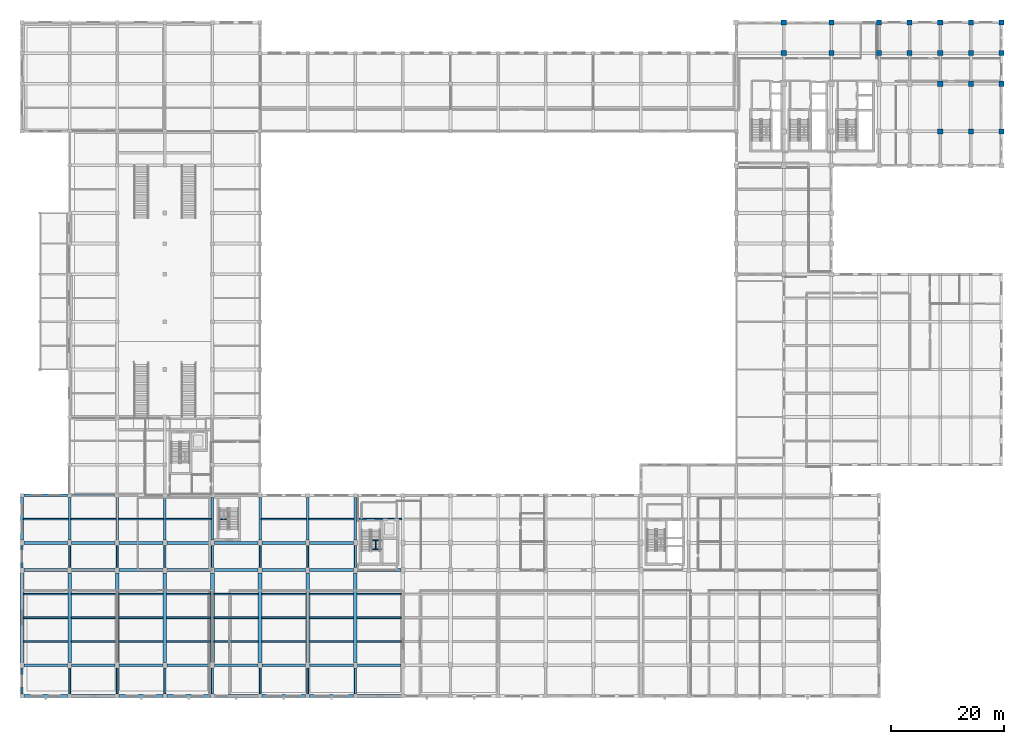
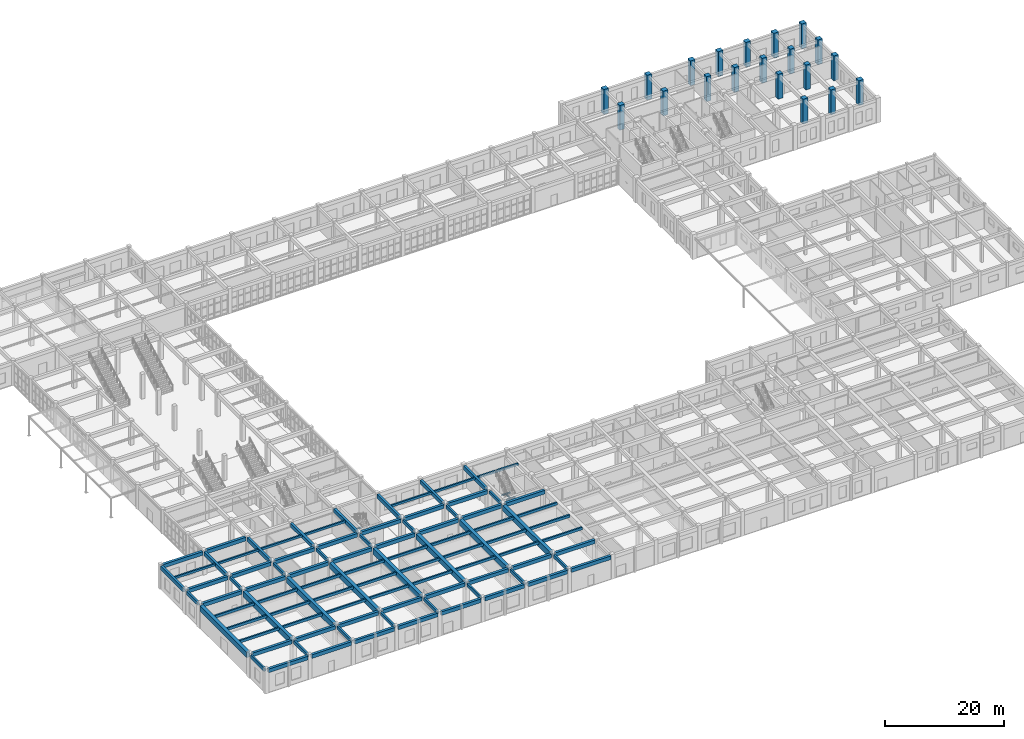
# One storey, part 17 of 80: 100 beams, 20 columns.
"""IFC4 building model written with IfcOpenShell, lengths in metres."""

from ifc_helpers import new_model, si_unit, direction, frame, origin, origin_2d, place, context, subcontext, project, spatial, rectangle, i_section, extrude, material, material_profile, profile_set, type_object, element, save


model = new_model("IFC4")

# Units and contexts
model_context = context("Model", 3, precision=1e-05, world=origin(), true_north=direction((0.0, 1.0)))
body_context = subcontext(model_context, "Body", "Model", "MODEL_VIEW")
ifc_project = project(units=[si_unit("LENGTHUNIT", "METRE"), si_unit("AREAUNIT", "SQUARE_METRE"), si_unit("VOLUMEUNIT", "CUBIC_METRE"), si_unit("PLANEANGLEUNIT", "RADIAN"), si_unit("MASSUNIT", "GRAM", prefix="KILO")], contexts=[model_context])

# Site, building, storey
site_placement = place(None, origin())
site = spatial("IfcSite", under=ifc_project, at=site_placement, CompositionType="ELEMENT")
building_placement = place(site_placement, origin())
building = spatial("IfcBuilding", under=site, at=building_placement, Name="Krzemoval Escarpment Law Courts", CompositionType="ELEMENT")
storey_placement = place(building_placement, origin())
storey = spatial("IfcBuildingStorey", under=building, at=storey_placement, Name="L00", CompositionType="ELEMENT", Elevation=0.0)

# Columns
ifc_material_1 = material(Name="Concrete C50/60", Category="concrete")
ifc_material_profile_1 = material_profile(ifc_material_1, rectangle(XDim=0.89990234375, YDim=0.89990234375, at=origin_2d()), Name="RC 900x900")
ifc_profile_set_1 = profile_set([ifc_material_profile_1], Name="Concrete C50/60")
column_type = type_object("IfcColumnType", Name="COL-RC-900", PredefinedType="COLUMN", material=ifc_profile_set_1)
for number, where, z_axis, x_axis, name in (
    (1, (134.39990234375, 113.39990234375, 0.0), (0.0, 0.0, 1.0), (1.0, 0.0, 0.0), "Column FC-L00-0469"),
    (2, (134.39990234375, 118.800048828125, 0.0), (0.0, 0.0, 1.0), (1.0, 0.0, 0.0), "Column FC-L00-0470"),
    (3, (142.800048828125, 113.39990234375, 0.0), (0.0, 0.0, 1.0), (1.0, 0.0, 0.0), "Column FC-L00-0486"),
    (4, (142.800048828125, 118.800048828125, 0.0), (0.0, 0.0, 1.0), (1.0, 0.0, 0.0), "Column FC-L00-0487"),
    (5, (151.199951171875, 113.39990234375, 0.0), (0.0, 0.0, 1.0), (1.0, 0.0, 0.0), "Column FC-L00-0501"),
    (6, (151.199951171875, 118.800048828125, 0.0), (0.0, 0.0, 1.0), (1.0, 0.0, 0.0), "Column FC-L00-0502"),
    (7, (156.60009765625, 113.39990234375, 0.0), (0.0, 0.0, 1.0), (1.0, 0.0, 0.0), "Column FC-L00-0511"),
    (8, (156.60009765625, 118.800048828125, 0.0), (0.0, 0.0, 1.0), (1.0, 0.0, 0.0), "Column FC-L00-0512"),
    (9, (162.0, 99.60009765625, 0.0), (0.0, 0.0, 1.0), (1.0, 0.0, 0.0), "Column FC-L00-0519"),
    (10, (162.0, 108.0, 0.0), (0.0, 0.0, 1.0), (1.0, 0.0, 0.0), "Column FC-L00-0520"),
    (11, (162.0, 113.39990234375, 0.0), (0.0, 0.0, 1.0), (1.0, 0.0, 0.0), "Column FC-L00-0521"),
    (12, (162.0, 118.800048828125, 0.0), (0.0, 0.0, 1.0), (1.0, 0.0, 0.0), "Column FC-L00-0522"),
    (13, (167.39990234375, 99.60009765625, 0.0), (0.0, 0.0, 1.0), (1.0, 0.0, 0.0), "Column FC-L00-0529"),
    (14, (167.39990234375, 108.0, 0.0), (0.0, 0.0, 1.0), (1.0, 0.0, 0.0), "Column FC-L00-0530"),
    (15, (167.39990234375, 113.39990234375, 0.0), (0.0, 0.0, 1.0), (1.0, 0.0, 0.0), "Column FC-L00-0531"),
    (16, (167.39990234375, 118.800048828125, 0.0), (0.0, 0.0, 1.0), (1.0, 0.0, 0.0), "Column FC-L00-0532"),
    (17, (172.800048828125, 99.60009765625, 0.0), (0.0, 0.0, 1.0), (1.0, 0.0, 0.0), "Column FC-L00-0539"),
    (18, (172.800048828125, 108.0, 0.0), (0.0, 0.0, 1.0), (1.0, 0.0, 0.0), "Column FC-L00-0540"),
    (19, (172.800048828125, 113.39990234375, 0.0), (0.0, 0.0, 1.0), (1.0, 0.0, 0.0), "Column FC-L00-0541"),
    (20, (172.800048828125, 118.800048828125, 0.0), (0.0, 0.0, 1.0), (1.0, 0.0, 0.0), "Column FC-L00-0542"),
):
    element("IfcColumn", number, at=place(storey_placement, frame(where, z_axis=z_axis, x_axis=x_axis)), inside=storey, type_object=column_type, Name=name, PredefinedType="COLUMN", context=body_context, shape_type="SweptSolid", body=[
        extrude(rectangle(XDim=0.89990234375, YDim=0.89990234375, at=origin_2d()), origin(), (0.0, 0.0, 1.0), 5.10009765625),
    ])

# Beams
ifc_material_2 = material(Name="Concrete C50/60", Category="concrete")
ifc_material_profile_2 = material_profile(ifc_material_2, rectangle(XDim=0.64990234375, YDim=1.14990234375, at=origin_2d()), Name="PTG 650x1150")
ifc_profile_set_2 = profile_set([ifc_material_profile_2], Name="Concrete C50/60")
beam_type_1 = type_object("IfcBeamType", Name="BM-PTG-650x1150", PredefinedType="BEAM", material=ifc_profile_set_2)
for number, where, z_axis, x_axis, name in (
    (21, (0.0, 5.89990234375, 4.2451171875), (0.0, 1.0, 0.0), (-1.0, 0.0, 0.0), "Beam FG-L00-0814"),
    (22, (8.39990234375, 5.89990234375, 4.2451171875), (0.0, 1.0, 0.0), (-1.0, 0.0, 0.0), "Beam FG-L00-0821"),
    (23, (16.800048828125, 5.89990234375, 4.2451171875), (0.0, 1.0, 0.0), (-1.0, 0.0, 0.0), "Beam FG-L00-0837"),
    (24, (25.199951171875, 5.89990234375, 4.2451171875), (0.0, 1.0, 0.0), (-1.0, 0.0, 0.0), "Beam FG-L00-0853"),
    (25, (33.60009765625, 5.89990234375, 4.2451171875), (0.0, 1.0, 0.0), (-1.0, 0.0, 0.0), "Beam FG-L00-0863"),
    (26, (42.0, 5.89990234375, 4.2451171875), (0.0, 1.0, 0.0), (-1.0, 0.0, 0.0), "Beam FG-L00-0879"),
    (27, (50.39990234375, 5.89990234375, 4.2451171875), (0.0, 1.0, 0.0), (-1.0, 0.0, 0.0), "Beam FG-L00-0895"),
    (28, (58.800048828125, 5.89990234375, 4.2451171875), (0.0, 1.0, 0.0), (-1.0, 0.0, 0.0), "Beam FG-L00-0901"),
):
    element("IfcBeam", number, at=place(storey_placement, frame(where, z_axis=z_axis, x_axis=x_axis)), inside=storey, type_object=beam_type_1, Name=name, PredefinedType="BEAM", context=body_context, shape_type="SweptSolid", body=[
        extrude(rectangle(XDim=0.64990234375, YDim=1.14990234375, at=origin_2d()), origin(), (0.0, 0.0, 1.0), 15.800048828125),
    ])
ifc_material_3 = material(Name="Concrete C40/50", Category="concrete")
ifc_material_profile_3 = material_profile(ifc_material_3, rectangle(XDim=0.35009765625, YDim=0.64990234375, at=origin_2d()), Name="RCB 350x650")
ifc_profile_set_3 = profile_set([ifc_material_profile_3], Name="Concrete C40/50")
beam_type_2 = type_object("IfcBeamType", Name="BM-RC-350x650", PredefinedType="BEAM", material=ifc_profile_set_3)
beam_1_placement = place(storey_placement, frame((0.0, 0.35009765625, 4.4951171875), z_axis=(0.0, 1.0, 0.0), x_axis=(-1.0, 0.0, 0.0)))
element("IfcBeam", 29, at=beam_1_placement, inside=storey, type_object=beam_type_2, Name="Beam FG-L00-0813", PredefinedType="BEAM", context=body_context, shape_type="SweptSolid", body=[
    extrude(rectangle(XDim=0.35009765625, YDim=0.64990234375, at=origin_2d()), origin(), (0.0, 0.0, 1.0), 4.5498046875),
])
beam_2_placement = place(storey_placement, frame((0.0, 22.699951171875, 4.4951171875), z_axis=(0.0, 1.0, 0.0), x_axis=(-1.0, 0.0, 0.0)))
element("IfcBeam", 30, at=beam_2_placement, inside=storey, type_object=beam_type_2, Name="Beam FG-L00-0815", PredefinedType="BEAM", context=body_context, shape_type="SweptSolid", body=[
    extrude(rectangle(XDim=0.35009765625, YDim=0.64990234375, at=origin_2d()), origin(), (0.0, 0.0, 1.0), 3.800048828125),
])
beam_3_placement = place(storey_placement, frame((8.39990234375, 0.35009765625, 4.4951171875), z_axis=(0.0, 1.0, 0.0), x_axis=(-1.0, 0.0, 0.0)))
element("IfcBeam", 31, at=beam_3_placement, inside=storey, type_object=beam_type_2, Name="Beam FG-L00-0820", PredefinedType="BEAM", context=body_context, shape_type="SweptSolid", body=[
    extrude(rectangle(XDim=0.35009765625, YDim=0.64990234375, at=origin_2d()), origin(), (0.0, 0.0, 1.0), 4.5498046875),
])
beam_4_placement = place(storey_placement, frame((8.39990234375, 22.699951171875, 4.4951171875), z_axis=(0.0, 1.0, 0.0), x_axis=(-1.0, 0.0, 0.0)))
element("IfcBeam", 32, at=beam_4_placement, inside=storey, type_object=beam_type_2, Name="Beam FG-L00-0822", PredefinedType="BEAM", context=body_context, shape_type="SweptSolid", body=[
    extrude(rectangle(XDim=0.35009765625, YDim=0.64990234375, at=origin_2d()), origin(), (0.0, 0.0, 1.0), 3.800048828125),
])
beam_5_placement = place(storey_placement, frame((16.800048828125, 0.35009765625, 4.4951171875), z_axis=(0.0, 1.0, 0.0), x_axis=(-1.0, 0.0, 0.0)))
element("IfcBeam", 33, at=beam_5_placement, inside=storey, type_object=beam_type_2, Name="Beam FG-L00-0836", PredefinedType="BEAM", context=body_context, shape_type="SweptSolid", body=[
    extrude(rectangle(XDim=0.35009765625, YDim=0.64990234375, at=origin_2d()), origin(), (0.0, 0.0, 1.0), 4.5498046875),
])
beam_6_placement = place(storey_placement, frame((16.800048828125, 22.699951171875, 4.4951171875), z_axis=(0.0, 1.0, 0.0), x_axis=(-1.0, 0.0, 0.0)))
element("IfcBeam", 34, at=beam_6_placement, inside=storey, type_object=beam_type_2, Name="Beam FG-L00-0838", PredefinedType="BEAM", context=body_context, shape_type="SweptSolid", body=[
    extrude(rectangle(XDim=0.35009765625, YDim=0.64990234375, at=origin_2d()), origin(), (0.0, 0.0, 1.0), 3.800048828125),
])
beam_7_placement = place(storey_placement, frame((25.199951171875, 0.35009765625, 4.4951171875), z_axis=(0.0, 1.0, 0.0), x_axis=(-1.0, 0.0, 0.0)))
element("IfcBeam", 35, at=beam_7_placement, inside=storey, type_object=beam_type_2, Name="Beam FG-L00-0852", PredefinedType="BEAM", context=body_context, shape_type="SweptSolid", body=[
    extrude(rectangle(XDim=0.35009765625, YDim=0.64990234375, at=origin_2d()), origin(), (0.0, 0.0, 1.0), 4.5498046875),
])
beam_8_placement = place(storey_placement, frame((25.199951171875, 22.699951171875, 4.4951171875), z_axis=(0.0, 1.0, 0.0), x_axis=(-1.0, 0.0, 0.0)))
element("IfcBeam", 36, at=beam_8_placement, inside=storey, type_object=beam_type_2, Name="Beam FG-L00-0854", PredefinedType="BEAM", context=body_context, shape_type="SweptSolid", body=[
    extrude(rectangle(XDim=0.35009765625, YDim=0.64990234375, at=origin_2d()), origin(), (0.0, 0.0, 1.0), 3.800048828125),
])
beam_9_placement = place(storey_placement, frame((33.60009765625, 0.35009765625, 4.4951171875), z_axis=(0.0, 1.0, 0.0), x_axis=(-1.0, 0.0, 0.0)))
element("IfcBeam", 37, at=beam_9_placement, inside=storey, type_object=beam_type_2, Name="Beam FG-L00-0862", PredefinedType="BEAM", context=body_context, shape_type="SweptSolid", body=[
    extrude(rectangle(XDim=0.35009765625, YDim=0.64990234375, at=origin_2d()), origin(), (0.0, 0.0, 1.0), 4.5498046875),
])
beam_10_placement = place(storey_placement, frame((33.60009765625, 22.699951171875, 4.4951171875), z_axis=(0.0, 1.0, 0.0), x_axis=(-1.0, 0.0, 0.0)))
element("IfcBeam", 38, at=beam_10_placement, inside=storey, type_object=beam_type_2, Name="Beam FG-L00-0864", PredefinedType="BEAM", context=body_context, shape_type="SweptSolid", body=[
    extrude(rectangle(XDim=0.35009765625, YDim=0.64990234375, at=origin_2d()), origin(), (0.0, 0.0, 1.0), 3.800048828125),
])
beam_11_placement = place(storey_placement, frame((42.0, 0.35009765625, 4.4951171875), z_axis=(0.0, 1.0, 0.0), x_axis=(-1.0, 0.0, 0.0)))
element("IfcBeam", 39, at=beam_11_placement, inside=storey, type_object=beam_type_2, Name="Beam FG-L00-0878", PredefinedType="BEAM", context=body_context, shape_type="SweptSolid", body=[
    extrude(rectangle(XDim=0.35009765625, YDim=0.64990234375, at=origin_2d()), origin(), (0.0, 0.0, 1.0), 4.5498046875),
])
beam_12_placement = place(storey_placement, frame((42.0, 22.699951171875, 4.4951171875), z_axis=(0.0, 1.0, 0.0), x_axis=(-1.0, 0.0, 0.0)))
element("IfcBeam", 40, at=beam_12_placement, inside=storey, type_object=beam_type_2, Name="Beam FG-L00-0880", PredefinedType="BEAM", context=body_context, shape_type="SweptSolid", body=[
    extrude(rectangle(XDim=0.35009765625, YDim=0.64990234375, at=origin_2d()), origin(), (0.0, 0.0, 1.0), 3.800048828125),
])
beam_13_placement = place(storey_placement, frame((50.39990234375, 0.35009765625, 4.4951171875), z_axis=(0.0, 1.0, 0.0), x_axis=(-1.0, 0.0, 0.0)))
element("IfcBeam", 41, at=beam_13_placement, inside=storey, type_object=beam_type_2, Name="Beam FG-L00-0894", PredefinedType="BEAM", context=body_context, shape_type="SweptSolid", body=[
    extrude(rectangle(XDim=0.35009765625, YDim=0.64990234375, at=origin_2d()), origin(), (0.0, 0.0, 1.0), 4.5498046875),
])
beam_14_placement = place(storey_placement, frame((50.39990234375, 22.699951171875, 4.4951171875), z_axis=(0.0, 1.0, 0.0), x_axis=(-1.0, 0.0, 0.0)))
element("IfcBeam", 42, at=beam_14_placement, inside=storey, type_object=beam_type_2, Name="Beam FG-L00-0896", PredefinedType="BEAM", context=body_context, shape_type="SweptSolid", body=[
    extrude(rectangle(XDim=0.35009765625, YDim=0.64990234375, at=origin_2d()), origin(), (0.0, 0.0, 1.0), 3.800048828125),
])
beam_15_placement = place(storey_placement, frame((58.800048828125, 0.35009765625, 4.4951171875), z_axis=(0.0, 1.0, 0.0), x_axis=(-1.0, 0.0, 0.0)))
element("IfcBeam", 43, at=beam_15_placement, inside=storey, type_object=beam_type_2, Name="Beam FG-L00-0900", PredefinedType="BEAM", context=body_context, shape_type="SweptSolid", body=[
    extrude(rectangle(XDim=0.35009765625, YDim=0.64990234375, at=origin_2d()), origin(), (0.0, 0.0, 1.0), 4.5498046875),
])
beam_16_placement = place(storey_placement, frame((58.800048828125, 22.699951171875, 4.4951171875), z_axis=(0.0, 1.0, 0.0), x_axis=(-1.0, 0.0, 0.0)))
element("IfcBeam", 44, at=beam_16_placement, inside=storey, type_object=beam_type_2, Name="Beam FG-L00-0902", PredefinedType="BEAM", context=body_context, shape_type="SweptSolid", body=[
    extrude(rectangle(XDim=0.35009765625, YDim=0.64990234375, at=origin_2d()), origin(), (0.0, 0.0, 1.0), 3.800048828125),
])
ifc_material_4 = material(Name="Concrete C40/50", Category="concrete")
ifc_material_profile_4 = material_profile(ifc_material_4, rectangle(XDim=0.449951171875, YDim=0.800048828125, at=origin_2d()), Name="RCB 450x800")
ifc_profile_set_4 = profile_set([ifc_material_profile_4], Name="Concrete C40/50")
beam_type_3 = type_object("IfcBeamType", Name="BM-RC-450x800", PredefinedType="BEAM", material=ifc_profile_set_4)
for number, where, z_axis, x_axis, name in (
    (45, (0.0, 27.5, 4.419921875), (0.0, 1.0, 0.0), (-1.0, 0.0, 0.0), "Beam FG-L00-0816"),
    (46, (8.39990234375, 27.5, 4.419921875), (0.0, 1.0, 0.0), (-1.0, 0.0, 0.0), "Beam FG-L00-0823"),
    (47, (16.800048828125, 27.5, 4.419921875), (0.0, 1.0, 0.0), (-1.0, 0.0, 0.0), "Beam FG-L00-0839"),
    (48, (25.199951171875, 27.5, 4.419921875), (0.0, 1.0, 0.0), (-1.0, 0.0, 0.0), "Beam FG-L00-0855"),
    (49, (33.60009765625, 27.5, 4.419921875), (0.0, 1.0, 0.0), (-1.0, 0.0, 0.0), "Beam FG-L00-0865"),
    (50, (42.0, 27.5, 4.419921875), (0.0, 1.0, 0.0), (-1.0, 0.0, 0.0), "Beam FG-L00-0881"),
    (51, (50.39990234375, 27.5, 4.419921875), (0.0, 1.0, 0.0), (-1.0, 0.0, 0.0), "Beam FG-L00-0897"),
    (52, (58.800048828125, 27.5, 4.419921875), (0.0, 1.0, 0.0), (-1.0, 0.0, 0.0), "Beam FG-L00-0903"),
):
    element("IfcBeam", number, at=place(storey_placement, frame(where, z_axis=z_axis, x_axis=x_axis)), inside=storey, type_object=beam_type_3, Name=name, PredefinedType="BEAM", context=body_context, shape_type="SweptSolid", body=[
        extrude(rectangle(XDim=0.449951171875, YDim=0.800048828125, at=origin_2d()), origin(), (0.0, 0.0, 1.0), 7.550048828125),
    ])
ifc_material_5 = material(Name="Concrete C40/50", Category="concrete")
ifc_material_profile_5 = material_profile(ifc_material_5, rectangle(XDim=0.5, YDim=0.75, at=origin_2d()), Name="RCB 500x750")
ifc_profile_set_5 = profile_set([ifc_material_profile_5], Name="Concrete C40/50")
beam_type_4 = type_object("IfcBeamType", Name="BM-RC-500x750", PredefinedType="BEAM", material=ifc_profile_set_5)
for number, where, z_axis, x_axis, name in (
    (53, (0.35009765625, 0.0, 4.445068359375), (1.0, 0.0, 0.0), (0.0, 1.0, 0.0), "Beam FG-L00-0587"),
    (54, (8.75, 0.0, 4.445068359375), (1.0, 0.0, 0.0), (0.0, 1.0, 0.0), "Beam FG-L00-0588"),
):
    element("IfcBeam", number, at=place(storey_placement, frame(where, z_axis=z_axis, x_axis=x_axis)), inside=storey, type_object=beam_type_4, Name=name, PredefinedType="BEAM", context=body_context, shape_type="SweptSolid", body=[
        extrude(rectangle(XDim=0.5, YDim=0.75, at=origin_2d()), origin(), (0.0, 0.0, 1.0), 7.699951171875),
    ])
beam_17_placement = place(storey_placement, frame((17.14990234375, 0.0, 4.445068359375), z_axis=(1.0, 0.0, 0.0), x_axis=(0.0, 1.0, 0.0)))
element("IfcBeam", 55, at=beam_17_placement, inside=storey, type_object=beam_type_4, Name="Beam FG-L00-0589", PredefinedType="BEAM", context=body_context, shape_type="SweptSolid", body=[
    extrude(rectangle(XDim=0.5, YDim=0.75, at=origin_2d()), origin(), (0.0, 0.0, 1.0), 7.7001953125),
])
for number, where, z_axis, x_axis, name in (
    (56, (25.550048828125, 0.0, 4.445068359375), (1.0, 0.0, 0.0), (0.0, 1.0, 0.0), "Beam FG-L00-0590"),
    (57, (33.949951171875, 0.0, 4.445068359375), (1.0, 0.0, 0.0), (0.0, 1.0, 0.0), "Beam FG-L00-0591"),
    (58, (42.35009765625, 0.0, 4.445068359375), (1.0, 0.0, 0.0), (0.0, 1.0, 0.0), "Beam FG-L00-0592"),
    (59, (50.75, 0.0, 4.445068359375), (1.0, 0.0, 0.0), (0.0, 1.0, 0.0), "Beam FG-L00-0593"),
):
    element("IfcBeam", number, at=place(storey_placement, frame(where, z_axis=z_axis, x_axis=x_axis)), inside=storey, type_object=beam_type_4, Name=name, PredefinedType="BEAM", context=body_context, shape_type="SweptSolid", body=[
        extrude(rectangle(XDim=0.5, YDim=0.75, at=origin_2d()), origin(), (0.0, 0.0, 1.0), 7.699951171875),
    ])
beam_18_placement = place(storey_placement, frame((59.14990234375, 0.0, 4.445068359375), z_axis=(1.0, 0.0, 0.0), x_axis=(0.0, 1.0, 0.0)))
element("IfcBeam", 60, at=beam_18_placement, inside=storey, type_object=beam_type_4, Name="Beam FG-L00-0594", PredefinedType="BEAM", context=body_context, shape_type="SweptSolid", body=[
    extrude(rectangle(XDim=0.5, YDim=0.75, at=origin_2d()), origin(), (0.0, 0.0, 1.0), 7.7001953125),
])
for number, where, z_axis, x_axis, name in (
    (61, (0.35009765625, 5.39990234375, 4.445068359375), (1.0, 0.0, 0.0), (0.0, 1.0, 0.0), "Beam FG-L00-0605"),
    (62, (8.75, 5.39990234375, 4.445068359375), (1.0, 0.0, 0.0), (0.0, 1.0, 0.0), "Beam FG-L00-0606"),
):
    element("IfcBeam", number, at=place(storey_placement, frame(where, z_axis=z_axis, x_axis=x_axis)), inside=storey, type_object=beam_type_4, Name=name, PredefinedType="BEAM", context=body_context, shape_type="SweptSolid", body=[
        extrude(rectangle(XDim=0.5, YDim=0.75, at=origin_2d()), origin(), (0.0, 0.0, 1.0), 7.699951171875),
    ])
beam_19_placement = place(storey_placement, frame((17.14990234375, 5.39990234375, 4.445068359375), z_axis=(1.0, 0.0, 0.0), x_axis=(0.0, 1.0, 0.0)))
element("IfcBeam", 63, at=beam_19_placement, inside=storey, type_object=beam_type_4, Name="Beam FG-L00-0607", PredefinedType="BEAM", context=body_context, shape_type="SweptSolid", body=[
    extrude(rectangle(XDim=0.5, YDim=0.75, at=origin_2d()), origin(), (0.0, 0.0, 1.0), 7.7001953125),
])
for number, where, z_axis, x_axis, name in (
    (64, (25.550048828125, 5.39990234375, 4.445068359375), (1.0, 0.0, 0.0), (0.0, 1.0, 0.0), "Beam FG-L00-0608"),
    (65, (33.949951171875, 5.39990234375, 4.445068359375), (1.0, 0.0, 0.0), (0.0, 1.0, 0.0), "Beam FG-L00-0609"),
    (66, (42.35009765625, 5.39990234375, 4.445068359375), (1.0, 0.0, 0.0), (0.0, 1.0, 0.0), "Beam FG-L00-0610"),
    (67, (50.75, 5.39990234375, 4.445068359375), (1.0, 0.0, 0.0), (0.0, 1.0, 0.0), "Beam FG-L00-0611"),
):
    element("IfcBeam", number, at=place(storey_placement, frame(where, z_axis=z_axis, x_axis=x_axis)), inside=storey, type_object=beam_type_4, Name=name, PredefinedType="BEAM", context=body_context, shape_type="SweptSolid", body=[
        extrude(rectangle(XDim=0.5, YDim=0.75, at=origin_2d()), origin(), (0.0, 0.0, 1.0), 7.699951171875),
    ])
beam_20_placement = place(storey_placement, frame((59.14990234375, 5.39990234375, 4.445068359375), z_axis=(1.0, 0.0, 0.0), x_axis=(0.0, 1.0, 0.0)))
element("IfcBeam", 68, at=beam_20_placement, inside=storey, type_object=beam_type_4, Name="Beam FG-L00-0612", PredefinedType="BEAM", context=body_context, shape_type="SweptSolid", body=[
    extrude(rectangle(XDim=0.5, YDim=0.75, at=origin_2d()), origin(), (0.0, 0.0, 1.0), 7.7001953125),
])
for number, where, z_axis, x_axis, name in (
    (69, (0.35009765625, 22.199951171875, 4.445068359375), (1.0, 0.0, 0.0), (0.0, 1.0, 0.0), "Beam FG-L00-0623"),
    (70, (8.75, 22.199951171875, 4.445068359375), (1.0, 0.0, 0.0), (0.0, 1.0, 0.0), "Beam FG-L00-0624"),
):
    element("IfcBeam", number, at=place(storey_placement, frame(where, z_axis=z_axis, x_axis=x_axis)), inside=storey, type_object=beam_type_4, Name=name, PredefinedType="BEAM", context=body_context, shape_type="SweptSolid", body=[
        extrude(rectangle(XDim=0.5, YDim=0.75, at=origin_2d()), origin(), (0.0, 0.0, 1.0), 7.699951171875),
    ])
beam_21_placement = place(storey_placement, frame((17.14990234375, 22.199951171875, 4.445068359375), z_axis=(1.0, 0.0, 0.0), x_axis=(0.0, 1.0, 0.0)))
element("IfcBeam", 71, at=beam_21_placement, inside=storey, type_object=beam_type_4, Name="Beam FG-L00-0625", PredefinedType="BEAM", context=body_context, shape_type="SweptSolid", body=[
    extrude(rectangle(XDim=0.5, YDim=0.75, at=origin_2d()), origin(), (0.0, 0.0, 1.0), 7.7001953125),
])
for number, where, z_axis, x_axis, name in (
    (72, (25.550048828125, 22.199951171875, 4.445068359375), (1.0, 0.0, 0.0), (0.0, 1.0, 0.0), "Beam FG-L00-0626"),
    (73, (33.949951171875, 22.199951171875, 4.445068359375), (1.0, 0.0, 0.0), (0.0, 1.0, 0.0), "Beam FG-L00-0627"),
    (74, (42.35009765625, 22.199951171875, 4.445068359375), (1.0, 0.0, 0.0), (0.0, 1.0, 0.0), "Beam FG-L00-0628"),
    (75, (50.75, 22.199951171875, 4.445068359375), (1.0, 0.0, 0.0), (0.0, 1.0, 0.0), "Beam FG-L00-0629"),
):
    element("IfcBeam", number, at=place(storey_placement, frame(where, z_axis=z_axis, x_axis=x_axis)), inside=storey, type_object=beam_type_4, Name=name, PredefinedType="BEAM", context=body_context, shape_type="SweptSolid", body=[
        extrude(rectangle(XDim=0.5, YDim=0.75, at=origin_2d()), origin(), (0.0, 0.0, 1.0), 7.699951171875),
    ])
beam_22_placement = place(storey_placement, frame((59.14990234375, 22.199951171875, 4.445068359375), z_axis=(1.0, 0.0, 0.0), x_axis=(0.0, 1.0, 0.0)))
element("IfcBeam", 76, at=beam_22_placement, inside=storey, type_object=beam_type_4, Name="Beam FG-L00-0630", PredefinedType="BEAM", context=body_context, shape_type="SweptSolid", body=[
    extrude(rectangle(XDim=0.5, YDim=0.75, at=origin_2d()), origin(), (0.0, 0.0, 1.0), 7.7001953125),
])
for number, where, z_axis, x_axis, name in (
    (77, (0.35009765625, 27.0, 4.445068359375), (1.0, 0.0, 0.0), (0.0, 1.0, 0.0), "Beam FG-L00-0641"),
    (78, (8.75, 27.0, 4.445068359375), (1.0, 0.0, 0.0), (0.0, 1.0, 0.0), "Beam FG-L00-0642"),
):
    element("IfcBeam", number, at=place(storey_placement, frame(where, z_axis=z_axis, x_axis=x_axis)), inside=storey, type_object=beam_type_4, Name=name, PredefinedType="BEAM", context=body_context, shape_type="SweptSolid", body=[
        extrude(rectangle(XDim=0.5, YDim=0.75, at=origin_2d()), origin(), (0.0, 0.0, 1.0), 7.699951171875),
    ])
beam_23_placement = place(storey_placement, frame((17.14990234375, 27.0, 4.445068359375), z_axis=(1.0, 0.0, 0.0), x_axis=(0.0, 1.0, 0.0)))
element("IfcBeam", 79, at=beam_23_placement, inside=storey, type_object=beam_type_4, Name="Beam FG-L00-0643", PredefinedType="BEAM", context=body_context, shape_type="SweptSolid", body=[
    extrude(rectangle(XDim=0.5, YDim=0.75, at=origin_2d()), origin(), (0.0, 0.0, 1.0), 7.7001953125),
])
for number, where, z_axis, x_axis, name in (
    (80, (25.550048828125, 27.0, 4.445068359375), (1.0, 0.0, 0.0), (0.0, 1.0, 0.0), "Beam FG-L00-0644"),
    (81, (33.949951171875, 27.0, 4.445068359375), (1.0, 0.0, 0.0), (0.0, 1.0, 0.0), "Beam FG-L00-0645"),
    (82, (42.35009765625, 27.0, 4.445068359375), (1.0, 0.0, 0.0), (0.0, 1.0, 0.0), "Beam FG-L00-0646"),
    (83, (50.75, 27.0, 4.445068359375), (1.0, 0.0, 0.0), (0.0, 1.0, 0.0), "Beam FG-L00-0647"),
    (84, (0.35009765625, 35.39990234375, 4.445068359375), (1.0, 0.0, 0.0), (0.0, 1.0, 0.0), "Beam FG-L00-0657"),
    (85, (8.75, 35.39990234375, 4.445068359375), (1.0, 0.0, 0.0), (0.0, 1.0, 0.0), "Beam FG-L00-0658"),
):
    element("IfcBeam", number, at=place(storey_placement, frame(where, z_axis=z_axis, x_axis=x_axis)), inside=storey, type_object=beam_type_4, Name=name, PredefinedType="BEAM", context=body_context, shape_type="SweptSolid", body=[
        extrude(rectangle(XDim=0.5, YDim=0.75, at=origin_2d()), origin(), (0.0, 0.0, 1.0), 7.699951171875),
    ])
ifc_material_6 = material(Name="Concrete C40/50", Category="concrete")
ifc_material_profile_6 = material_profile(ifc_material_6, rectangle(XDim=0.300048828125, YDim=0.449951171875, at=origin_2d()), Name="RCB 300x450")
ifc_profile_set_6 = profile_set([ifc_material_profile_6], Name="Concrete C40/50")
beam_type_5 = type_object("IfcBeamType", Name="JST-RC-300x450", PredefinedType="JOIST", material=ifc_profile_set_6)
for number, where, z_axis, x_axis, name in (
    (86, (0.22509765625, 31.199951171875, 4.594970703125), (1.0, 0.0, 0.0), (0.0, 1.0, 0.0), "Secondary Joist FJ-L00-1041"),
    (87, (8.625, 31.199951171875, 4.594970703125), (1.0, 0.0, 0.0), (0.0, 1.0, 0.0), "Secondary Joist FJ-L00-1046"),
):
    element("IfcBeam", number, at=place(storey_placement, frame(where, z_axis=z_axis, x_axis=x_axis)), inside=storey, type_object=beam_type_5, Name=name, PredefinedType="JOIST", context=body_context, shape_type="SweptSolid", body=[
        extrude(rectangle(XDim=0.300048828125, YDim=0.449951171875, at=origin_2d()), origin(), (0.0, 0.0, 1.0), 7.949951171875),
    ])
beam_24_placement = place(storey_placement, frame((17.02490234375, 31.199951171875, 4.594970703125), z_axis=(1.0, 0.0, 0.0), x_axis=(0.0, 1.0, 0.0)))
element("IfcBeam", 88, at=beam_24_placement, inside=storey, type_object=beam_type_5, Name="Secondary Joist FJ-L00-1056", PredefinedType="JOIST", context=body_context, shape_type="SweptSolid", body=[
    extrude(rectangle(XDim=0.300048828125, YDim=0.449951171875, at=origin_2d()), origin(), (0.0, 0.0, 1.0), 7.9501953125),
])
for number, where, z_axis, x_axis, name in (
    (89, (25.425048828125, 31.199951171875, 4.594970703125), (1.0, 0.0, 0.0), (0.0, 1.0, 0.0), "Secondary Joist FJ-L00-1062"),
    (90, (42.22509765625, 31.199951171875, 4.594970703125), (1.0, 0.0, 0.0), (0.0, 1.0, 0.0), "Secondary Joist FJ-L00-1076"),
    (91, (50.625, 31.199951171875, 4.594970703125), (1.0, 0.0, 0.0), (0.0, 1.0, 0.0), "Secondary Joist FJ-L00-1081"),
):
    element("IfcBeam", number, at=place(storey_placement, frame(where, z_axis=z_axis, x_axis=x_axis)), inside=storey, type_object=beam_type_5, Name=name, PredefinedType="JOIST", context=body_context, shape_type="SweptSolid", body=[
        extrude(rectangle(XDim=0.300048828125, YDim=0.449951171875, at=origin_2d()), origin(), (0.0, 0.0, 1.0), 7.949951171875),
    ])
beam_25_placement = place(storey_placement, frame((59.02490234375, 31.199951171875, 4.594970703125), z_axis=(1.0, 0.0, 0.0), x_axis=(0.0, 1.0, 0.0)))
element("IfcBeam", 92, at=beam_25_placement, inside=storey, type_object=beam_type_5, Name="Secondary Joist FJ-L00-1086", PredefinedType="JOIST", context=body_context, shape_type="SweptSolid", body=[
    extrude(rectangle(XDim=0.300048828125, YDim=0.449951171875, at=origin_2d()), origin(), (0.0, 0.0, 1.0), 7.9501953125),
])
ifc_material_7 = material(Name="Concrete C40/50", Category="concrete")
ifc_material_profile_7 = material_profile(ifc_material_7, rectangle(XDim=0.300048828125, YDim=0.550048828125, at=origin_2d()), Name="RCB 300x550")
ifc_profile_set_7 = profile_set([ifc_material_profile_7], Name="Concrete C40/50")
beam_type_6 = type_object("IfcBeamType", Name="JST-RC-300x550", PredefinedType="JOIST", material=ifc_profile_set_7)
for number, where, z_axis, x_axis, name in (
    (93, (0.324951171875, 9.60009765625, 4.544921875), (1.0, 0.0, 0.0), (0.0, 1.0, 0.0), "Secondary Joist FJ-L00-1038"),
    (94, (0.324951171875, 13.800048828125, 4.544921875), (1.0, 0.0, 0.0), (0.0, 1.0, 0.0), "Secondary Joist FJ-L00-1039"),
    (95, (0.324951171875, 18.0, 4.544921875), (1.0, 0.0, 0.0), (0.0, 1.0, 0.0), "Secondary Joist FJ-L00-1040"),
    (96, (8.72509765625, 9.60009765625, 4.544921875), (1.0, 0.0, 0.0), (0.0, 1.0, 0.0), "Secondary Joist FJ-L00-1043"),
    (97, (8.72509765625, 13.800048828125, 4.544921875), (1.0, 0.0, 0.0), (0.0, 1.0, 0.0), "Secondary Joist FJ-L00-1044"),
    (98, (8.72509765625, 18.0, 4.544921875), (1.0, 0.0, 0.0), (0.0, 1.0, 0.0), "Secondary Joist FJ-L00-1045"),
    (99, (17.125, 9.60009765625, 4.544921875), (1.0, 0.0, 0.0), (0.0, 1.0, 0.0), "Secondary Joist FJ-L00-1053"),
    (100, (17.125, 13.800048828125, 4.544921875), (1.0, 0.0, 0.0), (0.0, 1.0, 0.0), "Secondary Joist FJ-L00-1054"),
    (101, (17.125, 18.0, 4.544921875), (1.0, 0.0, 0.0), (0.0, 1.0, 0.0), "Secondary Joist FJ-L00-1055"),
    (102, (25.52490234375, 9.60009765625, 4.544921875), (1.0, 0.0, 0.0), (0.0, 1.0, 0.0), "Secondary Joist FJ-L00-1059"),
    (103, (25.52490234375, 13.800048828125, 4.544921875), (1.0, 0.0, 0.0), (0.0, 1.0, 0.0), "Secondary Joist FJ-L00-1060"),
    (104, (25.52490234375, 18.0, 4.544921875), (1.0, 0.0, 0.0), (0.0, 1.0, 0.0), "Secondary Joist FJ-L00-1061"),
    (105, (33.925048828125, 9.60009765625, 4.544921875), (1.0, 0.0, 0.0), (0.0, 1.0, 0.0), "Secondary Joist FJ-L00-1064"),
    (106, (33.925048828125, 13.800048828125, 4.544921875), (1.0, 0.0, 0.0), (0.0, 1.0, 0.0), "Secondary Joist FJ-L00-1065"),
    (107, (33.925048828125, 18.0, 4.544921875), (1.0, 0.0, 0.0), (0.0, 1.0, 0.0), "Secondary Joist FJ-L00-1066"),
    (108, (42.324951171875, 9.60009765625, 4.544921875), (1.0, 0.0, 0.0), (0.0, 1.0, 0.0), "Secondary Joist FJ-L00-1073"),
    (109, (42.324951171875, 13.800048828125, 4.544921875), (1.0, 0.0, 0.0), (0.0, 1.0, 0.0), "Secondary Joist FJ-L00-1074"),
    (110, (42.324951171875, 18.0, 4.544921875), (1.0, 0.0, 0.0), (0.0, 1.0, 0.0), "Secondary Joist FJ-L00-1075"),
    (111, (50.72509765625, 9.60009765625, 4.544921875), (1.0, 0.0, 0.0), (0.0, 1.0, 0.0), "Secondary Joist FJ-L00-1078"),
    (112, (50.72509765625, 13.800048828125, 4.544921875), (1.0, 0.0, 0.0), (0.0, 1.0, 0.0), "Secondary Joist FJ-L00-1079"),
    (113, (50.72509765625, 18.0, 4.544921875), (1.0, 0.0, 0.0), (0.0, 1.0, 0.0), "Secondary Joist FJ-L00-1080"),
    (114, (59.125, 9.60009765625, 4.544921875), (1.0, 0.0, 0.0), (0.0, 1.0, 0.0), "Secondary Joist FJ-L00-1083"),
    (115, (59.125, 13.800048828125, 4.544921875), (1.0, 0.0, 0.0), (0.0, 1.0, 0.0), "Secondary Joist FJ-L00-1084"),
    (116, (59.125, 18.0, 4.544921875), (1.0, 0.0, 0.0), (0.0, 1.0, 0.0), "Secondary Joist FJ-L00-1085"),
):
    element("IfcBeam", number, at=place(storey_placement, frame(where, z_axis=z_axis, x_axis=x_axis)), inside=storey, type_object=beam_type_6, Name=name, PredefinedType="JOIST", context=body_context, shape_type="SweptSolid", body=[
        extrude(rectangle(XDim=0.300048828125, YDim=0.550048828125, at=origin_2d()), origin(), (0.0, 0.0, 1.0), 7.75),
    ])
ifc_material_8 = material(Name="Steel S355", Category="steel")
ifc_material_profile_8 = material_profile(ifc_material_8, i_section(OverallWidth=0.14990234375, OverallDepth=0.300048828125, WebThickness=0.007080078125, FlangeThickness=0.0107421875, at=origin_2d()), Name="IPE 300")
ifc_profile_set_8 = profile_set([ifc_material_profile_8], Name="Steel S355")
beam_type_7 = type_object("IfcBeamType", Name="JST-S355-IPE300", PredefinedType="JOIST", material=ifc_profile_set_8)
for number, where, z_axis, x_axis, name in (
    (117, (61.550048828125, 25.8798828125, 2.27001953125), (1.0, 0.0, 0.0), (0.0, 1.0, 0.0), "Stair Well Crosshead SLHW-C4-L00-1"),
    (118, (61.550048828125, 27.47998046875, 2.27001953125), (1.0, 0.0, 0.0), (0.0, 1.0, 0.0), "Stair Well Crosshead SLHW-C4-L00-2"),
):
    element("IfcBeam", number, at=place(storey_placement, frame(where, z_axis=z_axis, x_axis=x_axis)), inside=storey, type_object=beam_type_7, Name=name, PredefinedType="JOIST", context=body_context, shape_type="SweptSolid", body=[
        extrude(i_section(OverallWidth=0.14990234375, OverallDepth=0.300048828125, WebThickness=0.007080078125, FlangeThickness=0.0107421875, at=origin_2d()), origin(), (0.0, 0.0, 1.0), 1.81005859375),
    ])
beam_26_placement = place(storey_placement, frame((62.425048828125, 25.8798828125, 2.27001953125), z_axis=(0.0, 1.0, 0.0), x_axis=(-1.0, 0.0, 0.0)))
element("IfcBeam", 119, at=beam_26_placement, inside=storey, type_object=beam_type_7, Name="Stair Flight Support Stringer SLTW-C4-L00", PredefinedType="JOIST", context=body_context, shape_type="SweptSolid", body=[
    extrude(i_section(OverallWidth=0.14990234375, OverallDepth=0.300048828125, WebThickness=0.007080078125, FlangeThickness=0.0107421875, at=origin_2d()), origin(), (0.0, 0.0, 1.0), 1.60009765625),
])
beam_27_placement = place(storey_placement, frame((36.5, 31.169921875, 2.27001953125), z_axis=(-1.0, 0.0, 0.0), x_axis=(0.0, -1.0, 0.0)))
element("IfcBeam", 120, at=beam_27_placement, inside=storey, type_object=beam_type_7, Name="Stair Well Crosshead SLHW-C7-L00-2", PredefinedType="JOIST", context=body_context, shape_type="SweptSolid", body=[
    extrude(i_section(OverallWidth=0.14990234375, OverallDepth=0.300048828125, WebThickness=0.007080078125, FlangeThickness=0.0107421875, at=origin_2d()), origin(), (0.0, 0.0, 1.0), 1.860107421875),
])

save(model, "model.ifc")
